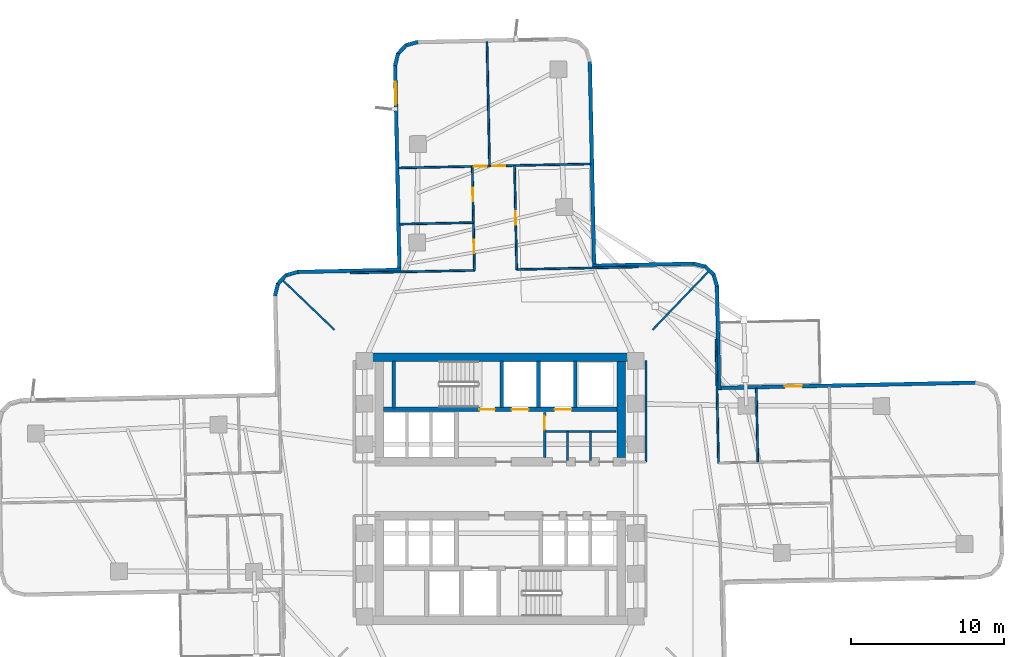
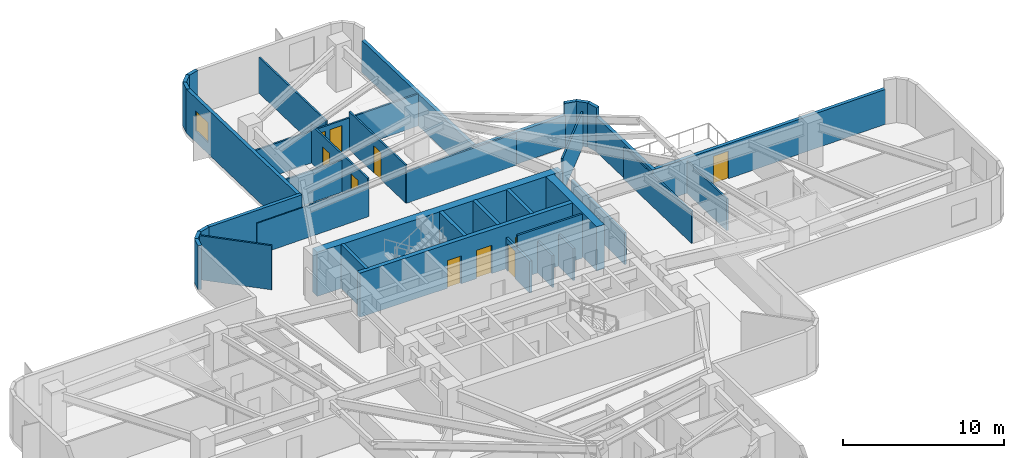
# One storey, part 5 of 10: 38 walls, 10 doors, 1 window, 11 openings.
"""IFC4 building model written with IfcOpenShell, lengths in metres."""

from ifc_helpers import new_model, si_unit, direction, frame, frame_2d, origin, place, context, subcontext, project, spatial, rectangle, extrude, material, layer, layer_set, type_object, element, fill, save


model = new_model("IFC4")

# Units and contexts
model_context = context("Model", 3, precision=1e-05, world=origin(), true_north=direction((0.0, 1.0)))
body_context = subcontext(model_context, "Body", "Model", "MODEL_VIEW")
ifc_project = project(units=[si_unit("LENGTHUNIT", "METRE"), si_unit("AREAUNIT", "SQUARE_METRE"), si_unit("VOLUMEUNIT", "CUBIC_METRE"), si_unit("PLANEANGLEUNIT", "RADIAN"), si_unit("MASSUNIT", "GRAM", prefix="KILO")], contexts=[model_context])

# Site, building, storey
site_placement = place(None, origin())
site = spatial("IfcSite", under=ifc_project, at=site_placement, CompositionType="ELEMENT")
building_placement = place(site_placement, origin())
building = spatial("IfcBuilding", under=site, at=building_placement, Name="Solmarez Civic Tower", CompositionType="ELEMENT")
storey_placement = place(building_placement, frame((0.0, 0.0, 35.280029296875)))
storey = spatial("IfcBuildingStorey", under=building, at=storey_placement, Name="L08", CompositionType="ELEMENT", Elevation=35.280029296875)

# Walls
ifc_material_1 = material(Name="Concrete C60/75", Category="concrete")
ifc_layer_1 = layer(ifc_material_1, 0.550048828125)
ifc_layer_set_1 = layer_set([ifc_layer_1], Name="Concrete C60/75")
wall_type_1 = type_object("IfcWallType", Name="WALL-CORE-550", PredefinedType="SHEAR", material=ifc_layer_set_1)
wall_1_placement = place(storey_placement, frame((-8.780029296875, 8.5849609375, 0.0), z_axis=(0.0, 0.0, 1.0), x_axis=(1.0, 0.0, 0.0)))
element("IfcWall", 1, at=wall_1_placement, inside=storey, type_object=wall_type_1, Name="L08 Split-Core Structural Wall NCW-N-L08", PredefinedType="SHEAR", context=body_context, shape_type="SweptSolid", body=[
    extrude(rectangle(XDim=17.56005859375, YDim=0.550048828125, at=frame_2d((8.780029296875, 0.0))), origin(), (0.0, 0.0, 1.0), 3.340087890625),
])
wall_2_placement = place(storey_placement, frame((7.89501953125, 8.31005859375, 0.0), z_axis=(0.0, 0.0, 1.0), x_axis=(0.0, -1.0, 0.0)))
element("IfcWall", 2, at=wall_2_placement, inside=storey, type_object=wall_type_1, Name="L08 Split-Core Structural Wall NCW-E-L08", PredefinedType="SHEAR", context=body_context, shape_type="SweptSolid", body=[
    extrude(rectangle(XDim=6.28515625, YDim=0.550048828125, at=frame_2d((3.142578125, 0.0))), origin(), (0.0, 0.0, 1.0), 3.340087890625),
])
ifc_material_2 = material(Name="Precast concrete C40/50", Category="concrete")
ifc_layer_2 = layer(ifc_material_2, 0.239990234375)
ifc_layer_set_2 = layer_set([ifc_layer_2], Name="Precast concrete C40/50")
wall_type_2 = type_object("IfcWallType", Name="WALL-EXT-240", PredefinedType="SOLIDWALL", material=ifc_layer_set_2)
wall_3_placement = place(storey_placement, frame((-14.7041015625, 12.60498046875, 0.0), z_axis=(0.0, 0.0, 1.0), x_axis=(0.238588013371, 0.971120878097, 0.0)))
element("IfcWall", 3, at=wall_3_placement, inside=storey, type_object=wall_type_2, Name="L08 Exterior Precast Wall 14", PredefinedType="SOLIDWALL", context=body_context, shape_type="SweptSolid", body=[
    extrude(rectangle(XDim=0.829833984375, YDim=0.239990234375, at=frame_2d((0.4150390625, 0.0))), origin(), (0.0, 0.0, 1.0), 3.340087890625),
])
wall_4_placement = place(storey_placement, frame((-14.529052734375, 13.368896484375, 0.0), z_axis=(0.0, 0.0, 1.0), x_axis=(0.692094379202, 0.721807017337, 0.0)))
element("IfcWall", 4, at=wall_4_placement, inside=storey, type_object=wall_type_2, Name="L08 Exterior Precast Wall 15", PredefinedType="SOLIDWALL", context=body_context, shape_type="SweptSolid", body=[
    extrude(rectangle(XDim=0.8134765625, YDim=0.239990234375, at=frame_2d((0.40673828125, 0.0))), origin(), (0.0, 0.0, 1.0), 3.340087890625),
])
wall_5_placement = place(storey_placement, frame((-14.007080078125, 13.930908203125, 0.0), z_axis=(0.0, 0.0, 1.0), x_axis=(0.960102033401, 0.279649933772, 0.0)))
element("IfcWall", 5, at=wall_5_placement, inside=storey, type_object=wall_type_2, Name="L08 Exterior Precast Wall 16", PredefinedType="SOLIDWALL", context=body_context, shape_type="SweptSolid", body=[
    extrude(rectangle(XDim=0.830322265625, YDim=0.239990234375, at=frame_2d((0.4150390625, 0.0))), origin(), (0.0, 0.0, 1.0), 3.340087890625),
])
wall_6_placement = place(storey_placement, frame((-13.259033203125, 14.155029296875, 0.0), z_axis=(0.0, 0.0, 1.0), x_axis=(0.999777124284, 0.021111649844, 0.0)))
element("IfcWall", 6, at=wall_6_placement, inside=storey, type_object=wall_type_2, Name="L08 Exterior Precast Wall 17", PredefinedType="SOLIDWALL", context=body_context, shape_type="SweptSolid", body=[
    extrude(rectangle(XDim=6.776611328125, YDim=0.239990234375, at=frame_2d((3.38818359375, 0.0))), origin(), (0.0, 0.0, 1.0), 3.340087890625),
])

# Wall, opening, window
wall_7_placement = place(storey_placement, frame((-6.577880859375, 14.199951171875, 0.0), z_axis=(0.0, 0.0, 1.0), x_axis=(-0.021016704444, 0.999779124674, 0.0)))
wall_7 = element("IfcWall", 7, at=wall_7_placement, inside=storey, type_object=wall_type_2, Name="L08 Exterior Precast Wall 20", PredefinedType="SOLIDWALL", context=body_context, shape_type="SweptSolid", body=[
    extrude(rectangle(XDim=13.47509765625, YDim=0.239990234375, at=frame_2d((6.737548828125, 0.0))), origin(), (0.0, 0.0, 1.0), 3.340087890625),
])
opening_1_placement = place(wall_7_placement, frame((10.875, 0.0, 0.85009765625)))
opening_1 = element("IfcOpeningElement", 8, at=opening_1_placement, cuts=wall_7, Name="Opening W-14", PredefinedType="OPENING", context=body_context, shape_type="SweptSolid", body=[
    extrude(rectangle(XDim=1.5, YDim=1.5, at=frame_2d((0.75, 0.75))), frame((0.0, 0.1298828125, 0.0), z_axis=(0.0, -1.0, 0.0), x_axis=(1.0, 0.0, 0.0)), (0.0, 0.0, 1.0), 0.260009765625),
])
ifc_material_3 = material(Name="Solar Control Bronze-Tinted Insulating Glass", Category="glass")
window_type = type_object("IfcWindowType", Name="WIN-1500X1500", PartitioningType="SINGLE_PANEL", PredefinedType="WINDOW", material=ifc_material_3)
window_placement = place(opening_1_placement, origin())
window = element("IfcWindow", 9, at=window_placement, inside=storey, type_object=window_type, Name="L08 Exterior Facade Window 20", OverallHeight=1.5, OverallWidth=1.5, PartitioningType="SINGLE_PANEL", PredefinedType="WINDOW", context=body_context, shape_type="SweptSolid", body=[
    extrude(rectangle(XDim=1.5, YDim=1.5, at=frame_2d((0.75, 0.75))), frame((0.0, 0.030029296875, 0.0), z_axis=(0.0, -1.0, 0.0), x_axis=(1.0, 0.0, 0.0)), (0.0, 0.0, 1.0), 0.06005859375),
])
fill(opening_1, window)

# Walls
wall_8_placement = place(storey_placement, frame((-6.865966796875, 27.623046875, 0.0), z_axis=(0.0, 0.0, 1.0), x_axis=(0.238860968489, 0.971053776952, 0.0)))
element("IfcWall", 10, at=wall_8_placement, inside=storey, type_object=wall_type_2, Name="L08 Exterior Precast Wall 21", PredefinedType="SOLIDWALL", context=body_context, shape_type="SweptSolid", body=[
    extrude(rectangle(XDim=0.828857421875, YDim=0.239990234375, at=frame_2d((0.41455078125, 0.0))), origin(), (0.0, 0.0, 1.0), 3.340087890625),
])
wall_9_placement = place(storey_placement, frame((-6.69091796875, 28.385986328125, 0.0), z_axis=(0.0, 0.0, 1.0), x_axis=(0.690868229845, 0.722980697523, 0.0)))
element("IfcWall", 11, at=wall_9_placement, inside=storey, type_object=wall_type_2, Name="L08 Exterior Precast Wall 22", PredefinedType="SOLIDWALL", context=body_context, shape_type="SweptSolid", body=[
    extrude(rectangle(XDim=0.8134765625, YDim=0.239990234375, at=frame_2d((0.40673828125, 0.0))), origin(), (0.0, 0.0, 1.0), 3.340087890625),
])
wall_10_placement = place(storey_placement, frame((-6.169921875, 28.948974609375, 0.0), z_axis=(0.0, 0.0, 1.0), x_axis=(0.960564264415, 0.278058076541, 0.0)))
element("IfcWall", 12, at=wall_10_placement, inside=storey, type_object=wall_type_2, Name="L08 Exterior Precast Wall 23", PredefinedType="SOLIDWALL", context=body_context, shape_type="SweptSolid", body=[
    extrude(rectangle(XDim=0.83056640625, YDim=0.239990234375, at=frame_2d((0.415283203125, 0.0))), origin(), (0.0, 0.0, 1.0), 3.340087890625),
])
wall_11_placement = place(storey_placement, frame((5.85595703125, 27.93798828125, 0.0), z_axis=(0.0, 0.0, 1.0), x_axis=(0.020997453553, -0.999779529168, 0.0)))
element("IfcWall", 13, at=wall_11_placement, inside=storey, type_object=wall_type_2, Name="L08 Exterior Precast Wall 28", PredefinedType="SOLIDWALL", context=body_context, shape_type="SweptSolid", body=[
    extrude(rectangle(XDim=13.475830078125, YDim=0.239990234375, at=frame_2d((6.73779296875, 0.0))), origin(), (0.0, 0.0, 1.0), 2.4208984375),
])
wall_12_placement = place(storey_placement, frame((6.041015625, 14.55908203125, 0.0), z_axis=(0.0, 0.0, 1.0), x_axis=(0.999776327957, 0.021149327571, 0.0)))
element("IfcWall", 14, at=wall_12_placement, inside=storey, type_object=wall_type_2, Name="L08 Exterior Precast Wall 31", PredefinedType="SOLIDWALL", context=body_context, shape_type="SweptSolid", body=[
    extrude(rectangle(XDim=6.614501953125, YDim=0.239990234375, at=frame_2d((3.30712890625, 0.0))), origin(), (0.0, 0.0, 1.0), 2.4208984375),
])
wall_13_placement = place(storey_placement, frame((12.60498046875, 14.7041015625, 0.0), z_axis=(0.0, 0.0, 1.0), x_axis=(0.971120878097, -0.238588013371, 0.0)))
element("IfcWall", 15, at=wall_13_placement, inside=storey, type_object=wall_type_2, Name="L08 Exterior Precast Wall 32", PredefinedType="SOLIDWALL", context=body_context, shape_type="SweptSolid", body=[
    extrude(rectangle(XDim=0.829833984375, YDim=0.239990234375, at=frame_2d((0.4150390625, 0.0))), origin(), (0.0, 0.0, 1.0), 3.340087890625),
])
wall_14_placement = place(storey_placement, frame((13.368896484375, 14.529052734375, 0.0), z_axis=(0.0, 0.0, 1.0), x_axis=(0.721807017337, -0.692094379202, 0.0)))
element("IfcWall", 16, at=wall_14_placement, inside=storey, type_object=wall_type_2, Name="L08 Exterior Precast Wall 33", PredefinedType="SOLIDWALL", context=body_context, shape_type="SweptSolid", body=[
    extrude(rectangle(XDim=0.8134765625, YDim=0.239990234375, at=frame_2d((0.40673828125, 0.0))), origin(), (0.0, 0.0, 1.0), 3.340087890625),
])
wall_15_placement = place(storey_placement, frame((13.930908203125, 14.007080078125, 0.0), z_axis=(0.0, 0.0, 1.0), x_axis=(0.279649933772, -0.960102033401, 0.0)))
element("IfcWall", 17, at=wall_15_placement, inside=storey, type_object=wall_type_2, Name="L08 Exterior Precast Wall 34", PredefinedType="SOLIDWALL", context=body_context, shape_type="SweptSolid", body=[
    extrude(rectangle(XDim=0.830322265625, YDim=0.239990234375, at=frame_2d((0.4150390625, 0.0))), origin(), (0.0, 0.0, 1.0), 3.340087890625),
])
wall_16_placement = place(storey_placement, frame((14.155029296875, 13.259033203125, 0.0), z_axis=(0.0, 0.0, 1.0), x_axis=(0.021111649844, -0.999777124284, 0.0)))
element("IfcWall", 18, at=wall_16_placement, inside=storey, type_object=wall_type_2, Name="L08 Exterior Precast Wall 35", PredefinedType="SOLIDWALL", context=body_context, shape_type="SweptSolid", body=[
    extrude(rectangle(XDim=6.776611328125, YDim=0.239990234375, at=frame_2d((3.38818359375, 0.0))), origin(), (0.0, 0.0, 1.0), 2.64404296875),
])

# Wall, opening, door
wall_17_placement = place(storey_placement, frame((14.199951171875, 6.577880859375, 0.0), z_axis=(0.0, 0.0, 1.0), x_axis=(0.999778412505, 0.021050555542, 0.0)))
wall_17 = element("IfcWall", 19, at=wall_17_placement, inside=storey, type_object=wall_type_2, Name="L08 Exterior Precast Wall 38", PredefinedType="SOLIDWALL", context=body_context, shape_type="SweptSolid", body=[
    extrude(rectangle(XDim=16.874755859375, YDim=0.239990234375, at=frame_2d((8.4375, 0.0))), origin(), (0.0, 0.0, 1.0), 2.64404296875),
])
opening_2_placement = place(wall_17_placement, frame((4.39990234375, 0.0, 0.0)))
opening_2 = element("IfcOpeningElement", 20, at=opening_2_placement, cuts=wall_17, Name="Opening D-06", PredefinedType="OPENING", context=body_context, shape_type="SweptSolid", body=[
    extrude(rectangle(XDim=1.10009765625, YDim=2.10009765625, at=frame_2d((0.550048828125, 1.050048828125))), frame((0.0, 0.1298828125, 0.0), z_axis=(0.0, -1.0, 0.0), x_axis=(1.0, 0.0, 0.0)), (0.0, 0.0, 1.0), 0.260009765625),
])
ifc_material_4 = material(Name="Bronze Anodised Aluminium Glazed Terrace Door", Category="aluminium")
door_type_1 = type_object("IfcDoorType", Name="DOOR-TERR-1100", OperationType="NOTDEFINED", PredefinedType="DOOR", material=ifc_material_4)
door_1_placement = place(opening_2_placement, origin())
door_1 = element("IfcDoor", 21, at=door_1_placement, inside=storey, type_object=door_type_1, Name="L08 Outdoor Terrace Glazed Door", OperationType="SINGLE_SWING_RIGHT", OverallHeight=2.10009765625, OverallWidth=1.10009765625, PredefinedType="DOOR", context=body_context, shape_type="SweptSolid", body=[
    extrude(rectangle(XDim=1.10009765625, YDim=2.10009765625, at=frame_2d((0.550048828125, 1.050048828125))), frame((0.0, 0.02490234375, 0.0), z_axis=(0.0, -1.0, 0.0), x_axis=(1.0, 0.0, 0.0)), (0.0, 0.0, 1.0), 0.050048828125),
])
fill(opening_2, door_1)

# Walls
ifc_material_5 = material(Name="Gypsum Board Acoustic Steel-Stud Partition", Category="steel")
ifc_layer_3 = layer(ifc_material_5, 0.14990234375)
ifc_layer_set_3 = layer_set([ifc_layer_3], Name="Gypsum Board Acoustic Steel-Stud Partition")
wall_type_3 = type_object("IfcWallType", Name="WALL-INT-FIRE-150", PredefinedType="PARTITIONING", material=ifc_layer_set_3)
wall_18_placement = place(storey_placement, frame((9.52001953125, 1.75, 0.0), z_axis=(0.0, 0.0, 1.0), x_axis=(0.0, 1.0, 0.0)))
element("IfcWall", 22, at=wall_18_placement, inside=storey, type_object=wall_type_3, Name="L08 Interior Partition CHW-L08-EN1", PredefinedType="PARTITIONING", context=body_context, shape_type="SweptSolid", body=[
    extrude(rectangle(XDim=6.6298828125, YDim=0.14990234375, at=frame_2d((3.31494140625, 0.0))), origin(), (0.0, 0.0, 1.0), 2.4208984375),
])
ifc_layer_4 = layer(ifc_material_5, 0.1201171875)
ifc_layer_set_4 = layer_set([ifc_layer_4], Name="Gypsum Board Acoustic Steel-Stud Partition")
wall_type_4 = type_object("IfcWallType", Name="WALL-INT-PART-120", PredefinedType="PARTITIONING", material=ifc_layer_set_4)
wall_19_placement = place(storey_placement, frame((9.9541015625, 10.3798828125, 0.0), z_axis=(0.0, 0.0, 1.0), x_axis=(0.692136602063, 0.721766530178, 0.0)))
element("IfcWall", 23, at=wall_19_placement, inside=storey, type_object=wall_type_4, Name="L08 Interior Partition PT-L08-QDIV-1", PredefinedType="PARTITIONING", context=body_context, shape_type="SweptSolid", body=[
    extrude(rectangle(XDim=5.2734375, YDim=0.1201171875, at=frame_2d((2.63671875, 0.0))), origin(), (0.0, 0.0, 1.0), 2.64404296875),
])
wall_20_placement = place(storey_placement, frame((-10.823974609375, 10.3798828125, 0.0), z_axis=(0.0, 0.0, 1.0), x_axis=(-0.721757981693, 0.692145516392, 0.0)))
element("IfcWall", 24, at=wall_20_placement, inside=storey, type_object=wall_type_4, Name="L08 Interior Partition PT-L08-QDIV-2", PredefinedType="PARTITIONING", context=body_context, shape_type="SweptSolid", body=[
    extrude(rectangle(XDim=4.658203125, YDim=0.1201171875, at=frame_2d((2.3291015625, 0.0))), origin(), (0.0, 0.0, 1.0), 3.340087890625),
])
wall_21_placement = place(storey_placement, frame((14.258056640625, 1.6689453125, 0.0), z_axis=(0.0, 0.0, 1.0), x_axis=(-0.020831948152, 0.999782991422, 0.0)))
element("IfcWall", 25, at=wall_21_placement, inside=storey, type_object=wall_type_4, Name="L08 Interior Partition PT-L08-E-EFL", PredefinedType="PARTITIONING", context=body_context, shape_type="SweptSolid", body=[
    extrude(rectangle(XDim=8.10986328125, YDim=0.1201171875, at=frame_2d((4.054931640625, 0.0))), origin(), (0.0, 0.0, 1.0), 2.4208984375),
])
wall_22_placement = place(storey_placement, frame((16.826904296875, 1.7529296875, 0.0), z_axis=(0.0, 0.0, 1.0), x_axis=(-0.021027075848, 0.999778906599, 0.0)))
element("IfcWall", 26, at=wall_22_placement, inside=storey, type_object=wall_type_4, Name="L08 Interior Partition PT-L08-E-LM", PredefinedType="PARTITIONING", context=body_context, shape_type="SweptSolid", body=[
    extrude(rectangle(XDim=4.795166015625, YDim=0.1201171875, at=frame_2d((2.3974609375, 0.0))), origin(), (0.0, 0.0, 1.0), 2.4208984375),
])
wall_23_placement = place(storey_placement, frame((-1.6689453125, 14.258056640625, 0.0), z_axis=(0.0, 0.0, 1.0), x_axis=(-0.999782991422, -0.020831948152, 0.0)))
element("IfcWall", 27, at=wall_23_placement, inside=storey, type_object=wall_type_4, Name="L08 Interior Partition PT-L08-N-EFL", PredefinedType="PARTITIONING", context=body_context, shape_type="SweptSolid", body=[
    extrude(rectangle(XDim=8.10986328125, YDim=0.1201171875, at=frame_2d((4.054931640625, 0.0))), origin(), (0.0, 0.0, 1.0), 2.4208984375),
])
wall_24_placement = place(storey_placement, frame((9.01806640625, 14.48193359375, 0.0), z_axis=(0.0, 0.0, 1.0), x_axis=(-0.999781922757, -0.020883173321, 0.0)))
element("IfcWall", 28, at=wall_24_placement, inside=storey, type_object=wall_type_4, Name="L08 Interior Partition PT-L08-N-EFR", PredefinedType="PARTITIONING", context=body_context, shape_type="SweptSolid", body=[
    extrude(rectangle(XDim=7.94970703125, YDim=0.1201171875, at=frame_2d((3.974853515625, 0.0))), origin(), (0.0, 0.0, 1.0), 2.4208984375),
])
wall_25_placement = place(storey_placement, frame((-1.763916015625, 17.376953125, 0.0), z_axis=(0.0, 0.0, 1.0), x_axis=(-0.99977783499, -0.021077966272, 0.0)))
element("IfcWall", 29, at=wall_25_placement, inside=storey, type_object=wall_type_4, Name="L08 Interior Partition PT-L08-N-LM", PredefinedType="PARTITIONING", context=body_context, shape_type="SweptSolid", body=[
    extrude(rectangle(XDim=4.795166015625, YDim=0.1201171875, at=frame_2d((2.3974609375, 0.0))), origin(), (0.0, 0.0, 1.0), 2.4208984375),
])

# Wall, openings, doors
wall_26_placement = place(storey_placement, frame((-1.821044921875, 21.0458984375, 0.0), z_axis=(0.0, 0.0, 1.0), x_axis=(0.020928408033, -0.999780976883, 0.0)))
wall_26 = element("IfcWall", 30, at=wall_26_placement, inside=storey, type_object=wall_type_4, Name="L08 Interior Partition PT-L08-N-SL", PredefinedType="PARTITIONING", context=body_context, shape_type="SweptSolid", body=[
    extrude(rectangle(XDim=6.789306640625, YDim=0.1201171875, at=frame_2d((3.39453125, 0.0))), origin(), (0.0, 0.0, 1.0), 2.868896484375),
])
opening_3_placement = place(wall_26_placement, frame((4.799072265625, 0.0, 0.0)))
opening_3 = element("IfcOpeningElement", 31, at=opening_3_placement, cuts=wall_26, Name="Opening D-14", PredefinedType="OPENING", context=body_context, shape_type="SweptSolid", body=[
    extrude(rectangle(XDim=0.860107421875, YDim=2.0400390625, at=frame_2d((0.43017578125, 1.02001953125))), frame((0.0, 0.070068359375, 0.0), z_axis=(0.0, -1.0, 0.0), x_axis=(1.0, 0.0, 0.0)), (0.0, 0.0, 1.0), 0.14013671875),
])
opening_4_placement = place(wall_26_placement, frame((1.404052734375, 0.0, 0.0)))
opening_4 = element("IfcOpeningElement", 32, at=opening_4_placement, cuts=wall_26, Name="Opening D-14", PredefinedType="OPENING", context=body_context, shape_type="SweptSolid", body=[
    extrude(rectangle(XDim=0.860107421875, YDim=2.0400390625, at=frame_2d((0.43017578125, 1.02001953125))), frame((0.0, 0.070068359375, 0.0), z_axis=(0.0, -1.0, 0.0), x_axis=(1.0, 0.0, 0.0)), (0.0, 0.0, 1.0), 0.14013671875),
])
ifc_material_6 = material(Name="Timber Storage and Pantry Door", Category="wood")
door_type_2 = type_object("IfcDoorType", Name="DOOR-INT-850", OperationType="NOTDEFINED", PredefinedType="DOOR", material=ifc_material_6)
door_2_placement = place(opening_3_placement, origin())
door_2 = element("IfcDoor", 33, at=door_2_placement, inside=storey, type_object=door_type_2, Name="L08 Civic Training Classroom First North Door", OperationType="SINGLE_SWING_LEFT", OverallHeight=2.0400390625, OverallWidth=0.860107421875, PredefinedType="DOOR", context=body_context, shape_type="SweptSolid", body=[
    extrude(rectangle(XDim=0.860107421875, YDim=2.0400390625, at=frame_2d((0.43017578125, 1.02001953125))), frame((0.0, 0.02490234375, 0.0), z_axis=(0.0, -1.0, 0.0), x_axis=(1.0, 0.0, 0.0)), (0.0, 0.0, 1.0), 0.050048828125),
])
fill(opening_3, door_2)
door_3_placement = place(opening_4_placement, origin())
door_3 = element("IfcDoor", 34, at=door_3_placement, inside=storey, type_object=door_type_2, Name="L08 Delegates Sitting Lounge Second North Door", OperationType="SINGLE_SWING_RIGHT", OverallHeight=2.0400390625, OverallWidth=0.860107421875, PredefinedType="DOOR", context=body_context, shape_type="SweptSolid", body=[
    extrude(rectangle(XDim=0.860107421875, YDim=2.0400390625, at=frame_2d((0.43017578125, 1.02001953125))), frame((0.0, 0.02490234375, 0.0), z_axis=(0.0, -1.0, 0.0), x_axis=(1.0, 0.0, 0.0)), (0.0, 0.0, 1.0), 0.050048828125),
])
fill(opening_4, door_3)

# Wall, opening, door
wall_27_placement = place(storey_placement, frame((1.080078125, 14.31591796875, 0.0), z_axis=(0.0, 0.0, 1.0), x_axis=(-0.020927655651, 0.999780992632, 0.0)))
wall_27 = element("IfcWall", 35, at=wall_27_placement, inside=storey, type_object=wall_type_4, Name="L08 Interior Partition PT-L08-N-SR", PredefinedType="PARTITIONING", context=body_context, shape_type="SweptSolid", body=[
    extrude(rectangle(XDim=6.78955078125, YDim=0.1201171875, at=frame_2d((3.394775390625, 0.0))), origin(), (0.0, 0.0, 1.0), 2.868896484375),
])
opening_5_placement = place(wall_27_placement, frame((2.9150390625, 0.0, 0.0)))
opening_5 = element("IfcOpeningElement", 36, at=opening_5_placement, cuts=wall_27, Name="Opening D-08", PredefinedType="OPENING", context=body_context, shape_type="SweptSolid", body=[
    extrude(rectangle(XDim=0.89990234375, YDim=2.06005859375, at=frame_2d((0.449951171875, 1.030029296875))), frame((0.0, 0.070068359375, 0.0), z_axis=(0.0, -1.0, 0.0), x_axis=(1.0, 0.0, 0.0)), (0.0, 0.0, 1.0), 0.14013671875),
])
ifc_material_7 = material(Name="Solid-Core Timber Office Door", Category="wood")
door_type_3 = type_object("IfcDoorType", Name="DOOR-INT-900", OperationType="NOTDEFINED", PredefinedType="DOOR", material=ifc_material_7)
door_4_placement = place(opening_5_placement, origin())
door_4 = element("IfcDoor", 37, at=door_4_placement, inside=storey, type_object=door_type_3, Name="L08 Public Reception Room Third North Door", OperationType="SINGLE_SWING_RIGHT", OverallHeight=2.06005859375, OverallWidth=0.89990234375, PredefinedType="DOOR", context=body_context, shape_type="SweptSolid", body=[
    extrude(rectangle(XDim=0.89990234375, YDim=2.06005859375, at=frame_2d((0.449951171875, 1.030029296875))), frame((0.0, 0.02490234375, 0.0), z_axis=(0.0, -1.0, 0.0), x_axis=(1.0, 0.0, 0.0)), (0.0, 0.0, 1.0), 0.050048828125),
])
fill(opening_5, door_4)

# Wall
wall_28_placement = place(storey_placement, frame((-0.693115234375, 21.1298828125, 0.0), z_axis=(0.0, 0.0, 1.0), x_axis=(-0.020852798128, 0.999782556764, 0.0)))
element("IfcWall", 38, at=wall_28_placement, inside=storey, type_object=wall_type_4, Name="L08 Interior Partition PT-L08-N-TM", PredefinedType="PARTITIONING", context=body_context, shape_type="SweptSolid", body=[
    extrude(rectangle(XDim=8.054931640625, YDim=0.1201171875, at=frame_2d((4.02734375, 0.0))), origin(), (0.0, 0.0, 1.0), 2.719970703125),
])

# Wall, openings, doors
wall_29_placement = place(storey_placement, frame((-6.635009765625, 20.946044921875, 0.0), z_axis=(0.0, 0.0, 1.0), x_axis=(0.999780491948, 0.020951561299, 0.0)))
wall_29 = element("IfcWall", 39, at=wall_29_placement, inside=storey, type_object=wall_type_4, Name="L08 Interior Partition PT-L08-N-END", PredefinedType="PARTITIONING", context=body_context, shape_type="SweptSolid", body=[
    extrude(rectangle(XDim=12.5498046875, YDim=0.1201171875, at=frame_2d((6.27490234375, 0.0))), origin(), (0.0, 0.0, 1.0), 2.4208984375),
])
opening_6_placement = place(wall_29_placement, frame((6.114990234375, 0.0, 0.0)))
opening_6 = element("IfcOpeningElement", 40, at=opening_6_placement, cuts=wall_29, Name="Opening D-14", PredefinedType="OPENING", context=body_context, shape_type="SweptSolid", body=[
    extrude(rectangle(XDim=0.860107421875, YDim=2.0400390625, at=frame_2d((0.43017578125, 1.02001953125))), frame((0.0, 0.070068359375, 0.0), z_axis=(0.0, -1.0, 0.0), x_axis=(1.0, 0.0, 0.0)), (0.0, 0.0, 1.0), 0.14013671875),
])
opening_7_placement = place(wall_29_placement, frame((4.9150390625, 0.0, 0.0)))
opening_7 = element("IfcOpeningElement", 41, at=opening_7_placement, cuts=wall_29, Name="Opening D-14", PredefinedType="OPENING", context=body_context, shape_type="SweptSolid", body=[
    extrude(rectangle(XDim=0.860107421875, YDim=2.0400390625, at=frame_2d((0.43017578125, 1.02001953125))), frame((0.0, 0.070068359375, 0.0), z_axis=(0.0, -1.0, 0.0), x_axis=(1.0, 0.0, 0.0)), (0.0, 0.0, 1.0), 0.14013671875),
])
door_5_placement = place(opening_6_placement, origin())
door_5 = element("IfcDoor", 42, at=door_5_placement, inside=storey, type_object=door_type_2, Name="L08 Legislative Seminar Room Sixth North Door", OperationType="SINGLE_SWING_RIGHT", OverallHeight=2.0400390625, OverallWidth=0.860107421875, PredefinedType="DOOR", context=body_context, shape_type="SweptSolid", body=[
    extrude(rectangle(XDim=0.860107421875, YDim=2.0400390625, at=frame_2d((0.43017578125, 1.02001953125))), frame((0.0, 0.02490234375, 0.0), z_axis=(0.0, -1.0, 0.0), x_axis=(1.0, 0.0, 0.0)), (0.0, 0.0, 1.0), 0.050048828125),
])
fill(opening_6, door_5)
door_6_placement = place(opening_7_placement, origin())
door_6 = element("IfcDoor", 43, at=door_6_placement, inside=storey, type_object=door_type_2, Name="L08 Public Reception Room Fifth North Door", OperationType="SINGLE_SWING_LEFT", OverallHeight=2.0400390625, OverallWidth=0.860107421875, PredefinedType="DOOR", context=body_context, shape_type="SweptSolid", body=[
    extrude(rectangle(XDim=0.860107421875, YDim=2.0400390625, at=frame_2d((0.43017578125, 1.02001953125))), frame((0.0, 0.02490234375, 0.0), z_axis=(0.0, -1.0, 0.0), x_axis=(1.0, 0.0, 0.0)), (0.0, 0.0, 1.0), 0.050048828125),
])
fill(opening_7, door_6)

# Wall, opening, door
ifc_layer_5 = layer(ifc_material_5, 0.159912109375)
ifc_layer_set_5 = layer_set([ifc_layer_5], Name="Gypsum Board Acoustic Steel-Stud Partition")
wall_type_5 = type_object("IfcWallType", Name="WALL-INT-SHAFT-160", PredefinedType="PARTITIONING", material=ifc_layer_set_5)
wall_30_placement = place(storey_placement, frame((2.89990234375, 2.0400390625, 0.0), z_axis=(0.0, 0.0, 1.0), x_axis=(0.0, 1.0, 0.0)))
wall_30 = element("IfcWall", 44, at=wall_30_placement, inside=storey, type_object=wall_type_5, Name="L08 Interior Partition SHW-NL2-L08", PredefinedType="PARTITIONING", context=body_context, shape_type="SweptSolid", body=[
    extrude(rectangle(XDim=2.93994140625, YDim=0.159912109375, at=frame_2d((1.469970703125, 0.0))), origin(), (0.0, 0.0, 1.0), 2.405029296875),
])
opening_8_placement = place(wall_30_placement, frame((1.820068359375, 0.0, 0.0)))
opening_8 = element("IfcOpeningElement", 45, at=opening_8_placement, cuts=wall_30, Name="Opening D-09", PredefinedType="OPENING", context=body_context, shape_type="SweptSolid", body=[
    extrude(rectangle(XDim=0.89990234375, YDim=2.06005859375, at=frame_2d((0.449951171875, 1.030029296875))), frame((0.0, 0.08984375, 0.0), z_axis=(0.0, -1.0, 0.0), x_axis=(1.0, 0.0, 0.0)), (0.0, 0.0, 1.0), 0.179931640625),
])
ifc_material_8 = material(Name="Fire-Rated Service Core Door", Category="wood")
door_type_4 = type_object("IfcDoorType", Name="DOOR-FD60-900", OperationType="NOTDEFINED", PredefinedType="DOOR", material=ifc_material_8)
door_7_placement = place(opening_8_placement, origin())
door_7 = element("IfcDoor", 46, at=door_7_placement, inside=storey, type_object=door_type_4, Name="L08 Service Lift Lobby Door", OperationType="SINGLE_SWING_LEFT", OverallHeight=2.06005859375, OverallWidth=0.89990234375, PredefinedType="DOOR", context=body_context, shape_type="SweptSolid", body=[
    extrude(rectangle(XDim=0.89990234375, YDim=2.06005859375, at=frame_2d((0.449951171875, 1.030029296875))), frame((0.0, 0.02490234375, 0.0), z_axis=(0.0, -1.0, 0.0), x_axis=(1.0, 0.0, 0.0)), (0.0, 0.0, 1.0), 0.050048828125),
])
fill(opening_8, door_7)

# Walls
ifc_layer_6 = layer(ifc_material_5, 0.137939453125)
ifc_layer_set_6 = layer_set([ifc_layer_6], Name="Gypsum Board Acoustic Steel-Stud Partition")
wall_type_6 = type_object("IfcWallType", Name="WALL-INT-WET-140", PredefinedType="PARTITIONING", material=ifc_layer_set_6)
wall_31_placement = place(storey_placement, frame((2.89990234375, 3.739990234375, 0.0), z_axis=(0.0, 0.0, 1.0), x_axis=(1.0, 0.0, 0.0)))
element("IfcWall", 47, at=wall_31_placement, inside=storey, type_object=wall_type_6, Name="L08 Interior Partition SHW-SVH-L08", PredefinedType="PARTITIONING", context=body_context, shape_type="SweptSolid", body=[
    extrude(rectangle(XDim=4.650146484375, YDim=0.137939453125, at=frame_2d((2.3251953125, 0.0))), origin(), (0.0, 0.0, 1.0), 3.340087890625),
])
for number, where, z_axis, x_axis, name in (
    (48, (4.39990234375, 1.85009765625, 0.0), (0.0, 0.0, 1.0), (0.0, 1.0, 0.0), "L08 Interior Partition PT-NCSV1-L08"),
    (49, (5.89990234375, 1.85009765625, 0.0), (0.0, 0.0, 1.0), (0.0, 1.0, 0.0), "L08 Interior Partition PT-NCSV2-L08"),
):
    element("IfcWall", number, at=place(storey_placement, frame(where, z_axis=z_axis, x_axis=x_axis)), inside=storey, type_object=wall_type_6, Name=name, PredefinedType="PARTITIONING", context=body_context, shape_type="SweptSolid", body=[
        extrude(rectangle(XDim=1.889892578125, YDim=0.137939453125, at=frame_2d((0.94482421875, 0.0))), origin(), (0.0, 0.0, 1.0), 2.405029296875),
    ])

# Wall, openings, doors
ifc_material_9 = material(Name="Concrete C50/60", Category="concrete")
ifc_layer_7 = layer(ifc_material_9, 0.300048828125)
ifc_layer_set_7 = layer_set([ifc_layer_7], Name="Concrete C50/60")
wall_type_7 = type_object("IfcWallType", Name="WALL-STR-300", PredefinedType="SOLIDWALL", material=ifc_layer_set_7)
wall_32_placement = place(storey_placement, frame((7.6201171875, 5.179931640625, 0.0), z_axis=(0.0, 0.0, 1.0), x_axis=(-1.0, 0.0, 0.0)))
wall_32 = element("IfcWall", 50, at=wall_32_placement, inside=storey, type_object=wall_type_7, Name="L08 Split-Core Structural Wall NCW-M-L08", PredefinedType="SOLIDWALL", context=body_context, shape_type="SweptSolid", body=[
    extrude(rectangle(XDim=15.240234375, YDim=0.300048828125, at=frame_2d((7.6201171875, 0.0))), origin(), (0.0, 0.0, 1.0), 3.340087890625),
])
opening_9_placement = place(wall_32_placement, frame((5.77001953125, 0.0, 0.0)))
opening_9 = element("IfcOpeningElement", 51, at=opening_9_placement, cuts=wall_32, Name="Opening LD-02", PredefinedType="OPENING", context=body_context, shape_type="SweptSolid", body=[
    extrude(rectangle(XDim=1.10009765625, YDim=2.14990234375, at=frame_2d((0.550048828125, 1.074951171875))), frame((0.0, 0.159912109375, 0.0), z_axis=(0.0, -1.0, 0.0), x_axis=(1.0, 0.0, 0.0)), (0.0, 0.0, 1.0), 0.320068359375),
])
opening_10_placement = place(wall_32_placement, frame((2.969970703125, 0.0, 0.0)))
opening_10 = element("IfcOpeningElement", 52, at=opening_10_placement, cuts=wall_32, Name="Opening LD-03", PredefinedType="OPENING", context=body_context, shape_type="SweptSolid", body=[
    extrude(rectangle(XDim=1.10009765625, YDim=2.14990234375, at=frame_2d((0.550048828125, 1.074951171875))), frame((0.0, 0.159912109375, 0.0), z_axis=(0.0, -1.0, 0.0), x_axis=(1.0, 0.0, 0.0)), (0.0, 0.0, 1.0), 0.320068359375),
])
opening_11_placement = place(wall_32_placement, frame((7.969970703125, 0.0, 0.0)))
opening_11 = element("IfcOpeningElement", 53, at=opening_11_placement, cuts=wall_32, Name="Opening D-05", PredefinedType="OPENING", context=body_context, shape_type="SweptSolid", body=[
    extrude(rectangle(XDim=1.0, YDim=2.10009765625, at=frame_2d((0.5, 1.050048828125))), frame((0.0, 0.159912109375, 0.0), z_axis=(0.0, -1.0, 0.0), x_axis=(1.0, 0.0, 0.0)), (0.0, 0.0, 1.0), 0.320068359375),
])
ifc_material_10 = material(Name="Fire-Rated Stairwell Exit Door", Category="wood")
door_type_5 = type_object("IfcDoorType", Name="DOOR-FD90-1000", OperationType="NOTDEFINED", PredefinedType="DOOR", material=ifc_material_10)
door_8_placement = place(opening_11_placement, origin())
door_8 = element("IfcDoor", 54, at=door_8_placement, inside=storey, type_object=door_type_5, Name="L08 North Exit Stair Door ST-1", OperationType="SINGLE_SWING_LEFT", OverallHeight=2.10009765625, OverallWidth=1.0, PredefinedType="DOOR", context=body_context, shape_type="SweptSolid", body=[
    extrude(rectangle(XDim=1.0, YDim=2.10009765625, at=frame_2d((0.5, 1.050048828125))), frame((0.0, 0.02490234375, 0.0), z_axis=(0.0, -1.0, 0.0), x_axis=(1.0, 0.0, 0.0)), (0.0, 0.0, 1.0), 0.050048828125),
])
fill(opening_11, door_8)
ifc_material_11 = material(Name="Stainless Firefighting Lift Landing Sliding Door", Category="aluminium")
door_type_6 = type_object("IfcDoorType", Name="DOOR-LD-FF-1100", OperationType="DOUBLE_DOOR_SLIDING", PredefinedType="DOOR", material=ifc_material_11)
door_9_placement = place(opening_9_placement, origin())
door_9 = element("IfcDoor", 55, at=door_9_placement, inside=storey, type_object=door_type_6, Name="L08 Firefighting Lift Landing Door FFL-1", OperationType="DOUBLE_DOOR_SLIDING", OverallHeight=2.14990234375, OverallWidth=1.10009765625, PredefinedType="DOOR", context=body_context, shape_type="SweptSolid", body=[
    extrude(rectangle(XDim=1.10009765625, YDim=2.14990234375, at=frame_2d((0.550048828125, 1.074951171875))), frame((0.0, 0.02490234375, 0.0), z_axis=(0.0, -1.0, 0.0), x_axis=(1.0, 0.0, 0.0)), (0.0, 0.0, 1.0), 0.050048828125),
])
fill(opening_9, door_9)
ifc_material_12 = material(Name="Stainless Stretcher Lift Landing Sliding Door", Category="aluminium")
door_type_7 = type_object("IfcDoorType", Name="DOOR-LD-SV-1100", OperationType="DOUBLE_DOOR_SLIDING", PredefinedType="DOOR", material=ifc_material_12)
door_10_placement = place(opening_10_placement, origin())
door_10 = element("IfcDoor", 56, at=door_10_placement, inside=storey, type_object=door_type_7, Name="L08 Service Stretcher Lift Landing Door SVL-1", OperationType="DOUBLE_DOOR_SLIDING", OverallHeight=2.14990234375, OverallWidth=1.10009765625, PredefinedType="DOOR", context=body_context, shape_type="SweptSolid", body=[
    extrude(rectangle(XDim=1.10009765625, YDim=2.14990234375, at=frame_2d((0.550048828125, 1.074951171875))), frame((0.0, 0.02490234375, 0.0), z_axis=(0.0, -1.0, 0.0), x_axis=(1.0, 0.0, 0.0)), (0.0, 0.0, 1.0), 0.050048828125),
])
fill(opening_10, door_10)

# Walls
wall_33_placement = place(storey_placement, frame((-6.949951171875, 5.280029296875, 0.0), z_axis=(0.0, 0.0, 1.0), x_axis=(0.0, 1.0, 0.0)))
element("IfcWall", 57, at=wall_33_placement, inside=storey, type_object=wall_type_7, Name="L08 Split-Core Structural Wall SHW-NW-L08", PredefinedType="SOLIDWALL", context=body_context, shape_type="SweptSolid", body=[
    extrude(rectangle(XDim=3.06005859375, YDim=0.219970703125, at=frame_2d((1.530029296875, 0.0))), origin(), (0.0, 0.0, 1.0), 3.340087890625),
])
for number, where, z_axis, x_axis, name in (
    (58, (0.10009765625, 5.300048828125, 0.0), (0.0, 0.0, 1.0), (0.0, 1.0, 0.0), "L08 Split-Core Structural Wall SHW-N1-L08"),
    (59, (2.5, 5.300048828125, 0.0), (0.0, 0.0, 1.0), (0.0, 1.0, 0.0), "L08 Split-Core Structural Wall SHW-N2-L08"),
    (60, (4.89990234375, 5.300048828125, 0.0), (0.0, 0.0, 1.0), (0.0, 1.0, 0.0), "L08 Split-Core Structural Wall SHW-N3-L08"),
):
    element("IfcWall", number, at=place(storey_placement, frame(where, z_axis=z_axis, x_axis=x_axis)), inside=storey, type_object=wall_type_7, Name=name, PredefinedType="SOLIDWALL", context=body_context, shape_type="SweptSolid", body=[
        extrude(rectangle(XDim=3.0400390625, YDim=0.25, at=frame_2d((1.52001953125, 0.0))), origin(), (0.0, 0.0, 1.0), 3.340087890625),
    ])

save(model, "model.ifc")
